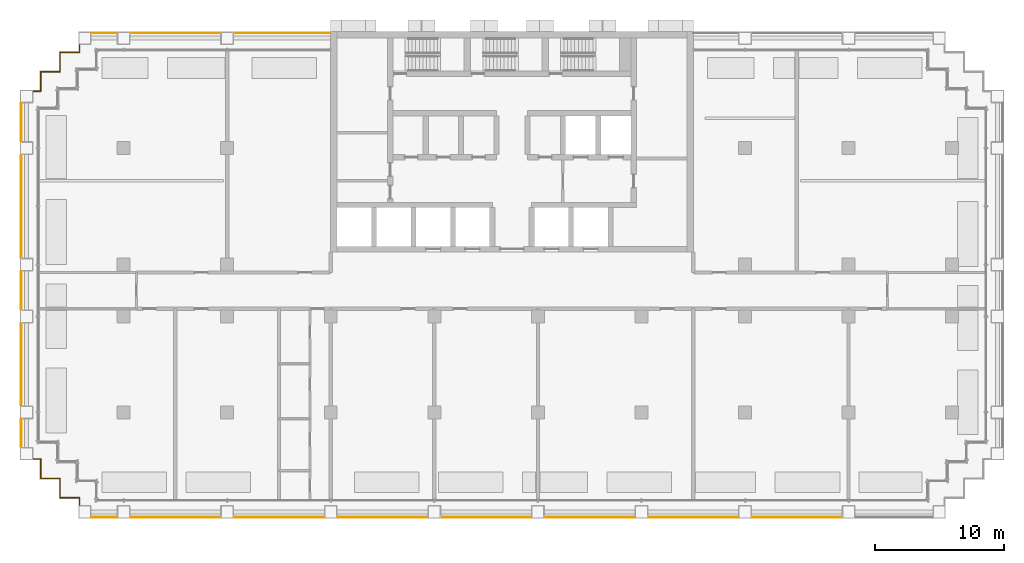
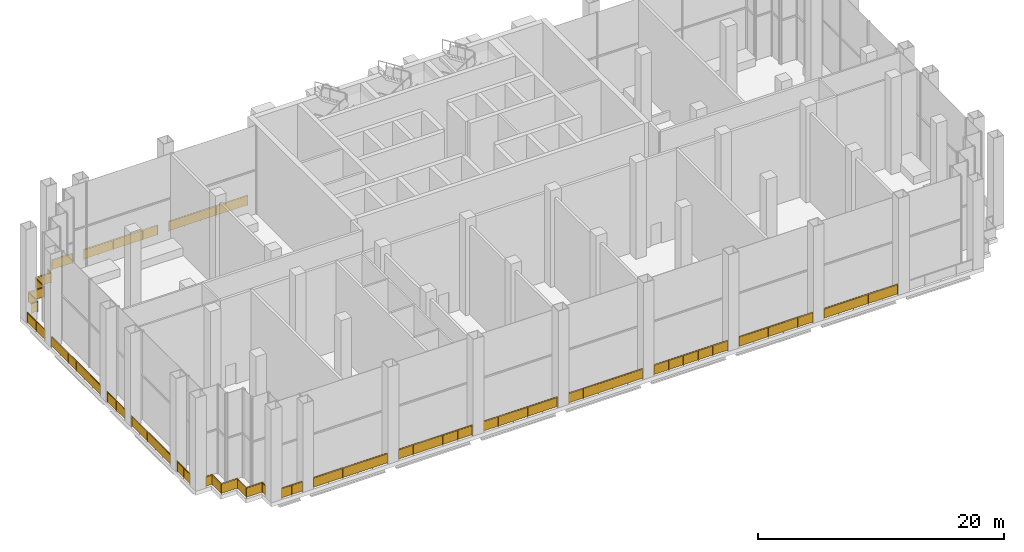
# One storey, part 13 of 16: 18 railings.
"""IFC4 building model written with IfcOpenShell, lengths in metres."""

from ifc_helpers import new_model, si_unit, direction, frame, origin, origin_2d, place, context, subcontext, project, spatial, rectangle, circle, extrude, material, type_object, element, save


model = new_model("IFC4")

# Units and contexts
model_context = context("Model", 3, precision=1e-05, world=origin(), true_north=direction((0.0, 1.0)))
body_context = subcontext(model_context, "Body", "Model", "MODEL_VIEW")
ifc_project = project(units=[si_unit("LENGTHUNIT", "METRE"), si_unit("AREAUNIT", "SQUARE_METRE"), si_unit("VOLUMEUNIT", "CUBIC_METRE"), si_unit("PLANEANGLEUNIT", "RADIAN"), si_unit("MASSUNIT", "GRAM", prefix="KILO")], contexts=[model_context])

# Site, building, storey
site_placement = place(None, origin())
site = spatial("IfcSite", under=ifc_project, at=site_placement, CompositionType="ELEMENT")
building_placement = place(site_placement, origin())
building = spatial("IfcBuilding", under=site, at=building_placement, Name="Vidyagriha Tower", CompositionType="ELEMENT")
storey_placement = place(building_placement, frame((0.0, 0.0, 64.0)))
storey = spatial("IfcBuildingStorey", under=building, at=storey_placement, Name="L17", CompositionType="ELEMENT", Elevation=64.0)

# Railings
ifc_material = material(Name="Steel ASTM A500 Grade C black painted", Category="steel")
railing_type = type_object("IfcRailingType", Name="Gallery guard 1100", PredefinedType="GUARDRAIL", material=ifc_material)
railing_1_placement = place(storey_placement, frame((-37.89990234375, -12.070068359375, 0.0)))
element("IfcRailing", 1, at=railing_1_placement, inside=storey, type_object=railing_type, Name="Gallery guard L17 1", PredefinedType="GUARDRAIL", context=body_context, shape_type="SweptSolid", body=[
    extrude(circle(Radius=0.02490234375, at=origin_2d()), frame((0.0, 0.0, 1.0751953125), z_axis=(0.0, 1.0, 0.0), x_axis=(-1.0, 0.0, 0.0)), (0.0, 0.0, 1.0), 2.14013671875),
    extrude(circle(Radius=0.02001953125, at=origin_2d()), origin(), (0.0, 0.0, 1.0), 1.050048828125),
    extrude(circle(Radius=0.02001953125, at=origin_2d()), frame((0.0, 1.070068359375, 0.0)), (0.0, 0.0, 1.0), 1.050048828125),
    extrude(circle(Radius=0.02001953125, at=origin_2d()), frame((0.0, 2.14013671875, 0.0)), (0.0, 0.0, 1.0), 1.050048828125),
    extrude(rectangle(XDim=0.010009765625, YDim=0.900146484375, at=origin_2d()), frame((0.0, 0.0, 0.550048828125), z_axis=(0.0, 1.0, 0.0), x_axis=(-1.0, 0.0, 0.0)), (0.0, 0.0, 1.0), 2.14013671875),
])
railing_2_placement = place(storey_placement, frame((-37.89990234375, -8.8701171875, 0.0)))
element("IfcRailing", 2, at=railing_2_placement, inside=storey, type_object=railing_type, Name="Gallery guard L17 2", PredefinedType="GUARDRAIL", context=body_context, shape_type="SweptSolid", body=[
    extrude(circle(Radius=0.02490234375, at=origin_2d()), frame((0.0, 0.0, 1.0751953125), z_axis=(0.0, 1.0, 0.0), x_axis=(-1.0, 0.0, 0.0)), (0.0, 0.0, 1.0), 6.340087890625),
    extrude(circle(Radius=0.02001953125, at=origin_2d()), origin(), (0.0, 0.0, 1.0), 1.050048828125),
    extrude(circle(Radius=0.02001953125, at=origin_2d()), frame((0.0, 1.26806640625, 0.0)), (0.0, 0.0, 1.0), 1.050048828125),
    extrude(circle(Radius=0.02001953125, at=origin_2d()), frame((0.0, 2.5361328125, 0.0)), (0.0, 0.0, 1.0), 1.050048828125),
    extrude(circle(Radius=0.02001953125, at=origin_2d()), frame((0.0, 3.803955078125, 0.0)), (0.0, 0.0, 1.0), 1.050048828125),
    extrude(circle(Radius=0.02001953125, at=origin_2d()), frame((0.0, 5.072021484375, 0.0)), (0.0, 0.0, 1.0), 1.050048828125),
    extrude(circle(Radius=0.02001953125, at=origin_2d()), frame((0.0, 6.340087890625, 0.0)), (0.0, 0.0, 1.0), 1.050048828125),
    extrude(rectangle(XDim=0.010009765625, YDim=0.900146484375, at=origin_2d()), frame((0.0, 0.0, 0.550048828125), z_axis=(0.0, 1.0, 0.0), x_axis=(-1.0, 0.0, 0.0)), (0.0, 0.0, 1.0), 6.340087890625),
])
railing_3_placement = place(storey_placement, frame((-37.89990234375, -1.469970703125, 0.0)))
element("IfcRailing", 3, at=railing_3_placement, inside=storey, type_object=railing_type, Name="Gallery guard L17 3", PredefinedType="GUARDRAIL", context=body_context, shape_type="SweptSolid", body=[
    extrude(circle(Radius=0.02490234375, at=origin_2d()), frame((0.0, 0.0, 1.0751953125), z_axis=(0.0, 1.0, 0.0), x_axis=(-1.0, 0.0, 0.0)), (0.0, 0.0, 1.0), 2.93994140625),
    extrude(circle(Radius=0.02001953125, at=origin_2d()), origin(), (0.0, 0.0, 1.0), 1.050048828125),
    extrude(circle(Radius=0.02001953125, at=origin_2d()), frame((0.0, 1.469970703125, 0.0)), (0.0, 0.0, 1.0), 1.050048828125),
    extrude(circle(Radius=0.02001953125, at=origin_2d()), frame((0.0, 2.93994140625, 0.0)), (0.0, 0.0, 1.0), 1.050048828125),
    extrude(rectangle(XDim=0.010009765625, YDim=0.900146484375, at=origin_2d()), frame((0.0, 0.0, 0.550048828125), z_axis=(0.0, 1.0, 0.0), x_axis=(-1.0, 0.0, 0.0)), (0.0, 0.0, 1.0), 2.93994140625),
])
railing_4_placement = place(storey_placement, frame((-37.89990234375, 2.530029296875, 0.0)))
element("IfcRailing", 4, at=railing_4_placement, inside=storey, type_object=railing_type, Name="Gallery guard L17 4", PredefinedType="GUARDRAIL", context=body_context, shape_type="SweptSolid", body=[
    extrude(circle(Radius=0.02490234375, at=origin_2d()), frame((0.0, 0.0, 1.0751953125), z_axis=(0.0, 1.0, 0.0), x_axis=(-1.0, 0.0, 0.0)), (0.0, 0.0, 1.0), 7.93994140625),
    extrude(circle(Radius=0.02001953125, at=origin_2d()), origin(), (0.0, 0.0, 1.0), 1.050048828125),
    extrude(circle(Radius=0.02001953125, at=origin_2d()), frame((0.0, 1.3232421875, 0.0)), (0.0, 0.0, 1.0), 1.050048828125),
    extrude(circle(Radius=0.02001953125, at=origin_2d()), frame((0.0, 2.646728515625, 0.0)), (0.0, 0.0, 1.0), 1.050048828125),
    extrude(circle(Radius=0.02001953125, at=origin_2d()), frame((0.0, 3.969970703125, 0.0)), (0.0, 0.0, 1.0), 1.050048828125),
    extrude(circle(Radius=0.02001953125, at=origin_2d()), frame((0.0, 5.293212890625, 0.0)), (0.0, 0.0, 1.0), 1.050048828125),
    extrude(circle(Radius=0.02001953125, at=origin_2d()), frame((0.0, 6.61669921875, 0.0)), (0.0, 0.0, 1.0), 1.050048828125),
    extrude(circle(Radius=0.02001953125, at=origin_2d()), frame((0.0, 7.93994140625, 0.0)), (0.0, 0.0, 1.0), 1.050048828125),
    extrude(rectangle(XDim=0.010009765625, YDim=0.900146484375, at=origin_2d()), frame((0.0, 0.0, 0.550048828125), z_axis=(0.0, 1.0, 0.0), x_axis=(-1.0, 0.0, 0.0)), (0.0, 0.0, 1.0), 7.93994140625),
])
railing_5_placement = place(storey_placement, frame((-37.89990234375, 11.530029296875, 0.0)))
element("IfcRailing", 5, at=railing_5_placement, inside=storey, type_object=railing_type, Name="Gallery guard L17 5", PredefinedType="GUARDRAIL", context=body_context, shape_type="SweptSolid", body=[
    extrude(circle(Radius=0.02490234375, at=origin_2d()), frame((0.0, 0.0, 1.0751953125), z_axis=(0.0, 1.0, 0.0), x_axis=(-1.0, 0.0, 0.0)), (0.0, 0.0, 1.0), 2.93994140625),
    extrude(circle(Radius=0.02001953125, at=origin_2d()), origin(), (0.0, 0.0, 1.0), 1.050048828125),
    extrude(circle(Radius=0.02001953125, at=origin_2d()), frame((0.0, 1.469970703125, 0.0)), (0.0, 0.0, 1.0), 1.050048828125),
    extrude(circle(Radius=0.02001953125, at=origin_2d()), frame((0.0, 2.93994140625, 0.0)), (0.0, 0.0, 1.0), 1.050048828125),
    extrude(rectangle(XDim=0.010009765625, YDim=0.900146484375, at=origin_2d()), frame((0.0, 0.0, 0.550048828125), z_axis=(0.0, 1.0, 0.0), x_axis=(-1.0, 0.0, 0.0)), (0.0, 0.0, 1.0), 2.93994140625),
])
railing_6_placement = place(storey_placement, frame((-33.39990234375, -16.570068359375, 0.0)))
element("IfcRailing", 6, at=railing_6_placement, inside=storey, type_object=railing_type, Name="Gallery guard L17 6", PredefinedType="GUARDRAIL", context=body_context, shape_type="SweptSolid", body=[
    extrude(circle(Radius=0.02490234375, at=origin_2d()), frame((0.0, 0.0, 1.0751953125), z_axis=(0.0, 1.0, 0.0), x_axis=(-1.0, 0.0, 0.0)), (0.0, 0.0, 1.0), 0.570068359375),
    extrude(circle(Radius=0.02490234375, at=origin_2d()), frame((0.0, 0.570068359375, 1.0751953125), z_axis=(-1.0, 0.0, 0.0), x_axis=(0.0, -1.0, 0.0)), (0.0, 0.0, 1.0), 1.5),
    extrude(circle(Radius=0.02490234375, at=origin_2d()), frame((-1.5, 0.570068359375, 1.0751953125), z_axis=(0.0, 1.0, 0.0), x_axis=(-1.0, 0.0, 0.0)), (0.0, 0.0, 1.0), 1.5),
    extrude(circle(Radius=0.02490234375, at=origin_2d()), frame((-1.5, 2.070068359375, 1.0751953125), z_axis=(-1.0, 0.0, 0.0), x_axis=(0.0, -1.0, 0.0)), (0.0, 0.0, 1.0), 1.5),
    extrude(circle(Radius=0.02490234375, at=origin_2d()), frame((-3.0, 2.070068359375, 1.0751953125), z_axis=(0.0, 1.0, 0.0), x_axis=(-1.0, 0.0, 0.0)), (0.0, 0.0, 1.0), 1.5),
    extrude(circle(Radius=0.02490234375, at=origin_2d()), frame((-3.0, 3.570068359375, 1.0751953125), z_axis=(-1.0, 0.0, 0.0), x_axis=(0.0, -1.0, 0.0)), (0.0, 0.0, 1.0), 0.570068359375),
    extrude(circle(Radius=0.02001953125, at=origin_2d()), origin(), (0.0, 0.0, 1.0), 1.050048828125),
    extrude(circle(Radius=0.02001953125, at=origin_2d()), frame((0.0, 0.570068359375, 0.0)), (0.0, 0.0, 1.0), 1.050048828125),
    extrude(circle(Radius=0.02001953125, at=origin_2d()), frame((-1.5, 0.570068359375, 0.0)), (0.0, 0.0, 1.0), 1.050048828125),
    extrude(circle(Radius=0.02001953125, at=origin_2d()), frame((-1.5, 2.070068359375, 0.0)), (0.0, 0.0, 1.0), 1.050048828125),
    extrude(circle(Radius=0.02001953125, at=origin_2d()), frame((-3.0, 2.070068359375, 0.0)), (0.0, 0.0, 1.0), 1.050048828125),
    extrude(circle(Radius=0.02001953125, at=origin_2d()), frame((-3.0, 3.570068359375, 0.0)), (0.0, 0.0, 1.0), 1.050048828125),
    extrude(circle(Radius=0.02001953125, at=origin_2d()), frame((-3.570068359375, 3.570068359375, 0.0)), (0.0, 0.0, 1.0), 1.050048828125),
    extrude(rectangle(XDim=0.010009765625, YDim=0.900146484375, at=origin_2d()), frame((0.0, 0.0, 0.550048828125), z_axis=(0.0, 1.0, 0.0), x_axis=(-1.0, 0.0, 0.0)), (0.0, 0.0, 1.0), 0.570068359375),
    extrude(rectangle(XDim=0.010009765625, YDim=0.900146484375, at=origin_2d()), frame((0.0, 0.570068359375, 0.550048828125), z_axis=(-1.0, 0.0, 0.0), x_axis=(0.0, -1.0, 0.0)), (0.0, 0.0, 1.0), 1.5),
    extrude(rectangle(XDim=0.010009765625, YDim=0.900146484375, at=origin_2d()), frame((-1.5, 0.570068359375, 0.550048828125), z_axis=(0.0, 1.0, 0.0), x_axis=(-1.0, 0.0, 0.0)), (0.0, 0.0, 1.0), 1.5),
    extrude(rectangle(XDim=0.010009765625, YDim=0.900146484375, at=origin_2d()), frame((-1.5, 2.070068359375, 0.550048828125), z_axis=(-1.0, 0.0, 0.0), x_axis=(0.0, -1.0, 0.0)), (0.0, 0.0, 1.0), 1.5),
    extrude(rectangle(XDim=0.010009765625, YDim=0.900146484375, at=origin_2d()), frame((-3.0, 2.070068359375, 0.550048828125), z_axis=(0.0, 1.0, 0.0), x_axis=(-1.0, 0.0, 0.0)), (0.0, 0.0, 1.0), 1.5),
    extrude(rectangle(XDim=0.010009765625, YDim=0.900146484375, at=origin_2d()), frame((-3.0, 3.570068359375, 0.550048828125), z_axis=(-1.0, 0.0, 0.0), x_axis=(0.0, -1.0, 0.0)), (0.0, 0.0, 1.0), 0.570068359375),
])
railing_7_placement = place(storey_placement, frame((-36.969970703125, 15.39990234375, 0.0)))
element("IfcRailing", 7, at=railing_7_placement, inside=storey, type_object=railing_type, Name="Gallery guard L17 7", PredefinedType="GUARDRAIL", context=body_context, shape_type="SweptSolid", body=[
    extrude(circle(Radius=0.02490234375, at=origin_2d()), frame((0.0, 0.0, 1.0751953125), z_axis=(1.0, 0.0, 0.0), x_axis=(0.0, 1.0, 0.0)), (0.0, 0.0, 1.0), 0.570068359375),
    extrude(circle(Radius=0.02490234375, at=origin_2d()), frame((0.570068359375, 0.0, 1.0751953125), z_axis=(0.0, 1.0, 0.0), x_axis=(-1.0, 0.0, 0.0)), (0.0, 0.0, 1.0), 1.5),
    extrude(circle(Radius=0.02490234375, at=origin_2d()), frame((0.570068359375, 1.5, 1.0751953125), z_axis=(1.0, 0.0, 0.0), x_axis=(0.0, 1.0, 0.0)), (0.0, 0.0, 1.0), 1.5),
    extrude(circle(Radius=0.02490234375, at=origin_2d()), frame((2.070068359375, 1.5, 1.0751953125), z_axis=(0.0, 1.0, 0.0), x_axis=(-1.0, 0.0, 0.0)), (0.0, 0.0, 1.0), 1.5),
    extrude(circle(Radius=0.02490234375, at=origin_2d()), frame((2.070068359375, 3.0, 1.0751953125), z_axis=(1.0, 0.0, 0.0), x_axis=(0.0, 1.0, 0.0)), (0.0, 0.0, 1.0), 1.5),
    extrude(circle(Radius=0.02490234375, at=origin_2d()), frame((3.570068359375, 3.0, 1.0751953125), z_axis=(0.0, 1.0, 0.0), x_axis=(-1.0, 0.0, 0.0)), (0.0, 0.0, 1.0), 0.570068359375),
    extrude(circle(Radius=0.02001953125, at=origin_2d()), origin(), (0.0, 0.0, 1.0), 1.050048828125),
    extrude(circle(Radius=0.02001953125, at=origin_2d()), frame((0.570068359375, 0.0, 0.0)), (0.0, 0.0, 1.0), 1.050048828125),
    extrude(circle(Radius=0.02001953125, at=origin_2d()), frame((0.570068359375, 1.5, 0.0)), (0.0, 0.0, 1.0), 1.050048828125),
    extrude(circle(Radius=0.02001953125, at=origin_2d()), frame((2.070068359375, 1.5, 0.0)), (0.0, 0.0, 1.0), 1.050048828125),
    extrude(circle(Radius=0.02001953125, at=origin_2d()), frame((2.070068359375, 3.0, 0.0)), (0.0, 0.0, 1.0), 1.050048828125),
    extrude(circle(Radius=0.02001953125, at=origin_2d()), frame((3.570068359375, 3.0, 0.0)), (0.0, 0.0, 1.0), 1.050048828125),
    extrude(circle(Radius=0.02001953125, at=origin_2d()), frame((3.570068359375, 3.570068359375, 0.0)), (0.0, 0.0, 1.0), 1.050048828125),
    extrude(rectangle(XDim=0.010009765625, YDim=0.900146484375, at=origin_2d()), frame((0.0, 0.0, 0.550048828125), z_axis=(1.0, 0.0, 0.0), x_axis=(0.0, 1.0, 0.0)), (0.0, 0.0, 1.0), 0.570068359375),
    extrude(rectangle(XDim=0.010009765625, YDim=0.900146484375, at=origin_2d()), frame((0.570068359375, 0.0, 0.550048828125), z_axis=(0.0, 1.0, 0.0), x_axis=(-1.0, 0.0, 0.0)), (0.0, 0.0, 1.0), 1.5),
    extrude(rectangle(XDim=0.010009765625, YDim=0.900146484375, at=origin_2d()), frame((0.570068359375, 1.5, 0.550048828125), z_axis=(1.0, 0.0, 0.0), x_axis=(0.0, 1.0, 0.0)), (0.0, 0.0, 1.0), 1.5),
    extrude(rectangle(XDim=0.010009765625, YDim=0.900146484375, at=origin_2d()), frame((2.070068359375, 1.5, 0.550048828125), z_axis=(0.0, 1.0, 0.0), x_axis=(-1.0, 0.0, 0.0)), (0.0, 0.0, 1.0), 1.5),
    extrude(rectangle(XDim=0.010009765625, YDim=0.900146484375, at=origin_2d()), frame((2.070068359375, 3.0, 0.550048828125), z_axis=(1.0, 0.0, 0.0), x_axis=(0.0, 1.0, 0.0)), (0.0, 0.0, 1.0), 1.5),
    extrude(rectangle(XDim=0.010009765625, YDim=0.900146484375, at=origin_2d()), frame((3.570068359375, 3.0, 0.550048828125), z_axis=(0.0, 1.0, 0.0), x_axis=(-1.0, 0.0, 0.0)), (0.0, 0.0, 1.0), 0.570068359375),
])
railing_8_placement = place(storey_placement, frame((-30.530029296875, -17.5, 0.0)))
element("IfcRailing", 8, at=railing_8_placement, inside=storey, type_object=railing_type, Name="Gallery guard L17 8", PredefinedType="GUARDRAIL", context=body_context, shape_type="SweptSolid", body=[
    extrude(circle(Radius=0.02490234375, at=origin_2d()), frame((0.0, 0.0, 1.0751953125), z_axis=(-1.0, 0.0, 0.0), x_axis=(0.0, -1.0, 0.0)), (0.0, 0.0, 1.0), 1.93994140625),
    extrude(circle(Radius=0.02001953125, at=origin_2d()), origin(), (0.0, 0.0, 1.0), 1.050048828125),
    extrude(circle(Radius=0.02001953125, at=origin_2d()), frame((-0.969970703125, 0.0, 0.0)), (0.0, 0.0, 1.0), 1.050048828125),
    extrude(circle(Radius=0.02001953125, at=origin_2d()), frame((-1.93994140625, 0.0, 0.0)), (0.0, 0.0, 1.0), 1.050048828125),
    extrude(rectangle(XDim=0.010009765625, YDim=0.900146484375, at=origin_2d()), frame((0.0, 0.0, 0.550048828125), z_axis=(-1.0, 0.0, 0.0), x_axis=(0.0, -1.0, 0.0)), (0.0, 0.0, 1.0), 1.93994140625),
])
railing_9_placement = place(storey_placement, frame((-32.469970703125, 19.89990234375, 0.0)))
element("IfcRailing", 9, at=railing_9_placement, inside=storey, type_object=railing_type, Name="Gallery guard L17 9", PredefinedType="GUARDRAIL", context=body_context, shape_type="SweptSolid", body=[
    extrude(circle(Radius=0.02490234375, at=origin_2d()), frame((0.0, 0.0, 1.0751953125), z_axis=(1.0, 0.0, 0.0), x_axis=(0.0, 1.0, 0.0)), (0.0, 0.0, 1.0), 1.93994140625),
    extrude(circle(Radius=0.02001953125, at=origin_2d()), origin(), (0.0, 0.0, 1.0), 1.050048828125),
    extrude(circle(Radius=0.02001953125, at=origin_2d()), frame((0.969970703125, 0.0, 0.0)), (0.0, 0.0, 1.0), 1.050048828125),
    extrude(circle(Radius=0.02001953125, at=origin_2d()), frame((1.93994140625, 0.0, 0.0)), (0.0, 0.0, 1.0), 1.050048828125),
    extrude(rectangle(XDim=0.010009765625, YDim=0.900146484375, at=origin_2d()), frame((0.0, 0.0, 0.550048828125), z_axis=(1.0, 0.0, 0.0), x_axis=(0.0, 1.0, 0.0)), (0.0, 0.0, 1.0), 1.93994140625),
])
railing_10_placement = place(storey_placement, frame((-22.530029296875, -17.5, 0.0)))
element("IfcRailing", 10, at=railing_10_placement, inside=storey, type_object=railing_type, Name="Gallery guard L17 10", PredefinedType="GUARDRAIL", context=body_context, shape_type="SweptSolid", body=[
    extrude(circle(Radius=0.02490234375, at=origin_2d()), frame((0.0, 0.0, 1.0751953125), z_axis=(-1.0, 0.0, 0.0), x_axis=(0.0, -1.0, 0.0)), (0.0, 0.0, 1.0), 6.93994140625),
    extrude(circle(Radius=0.02001953125, at=origin_2d()), origin(), (0.0, 0.0, 1.0), 1.050048828125),
    extrude(circle(Radius=0.02001953125, at=origin_2d()), frame((-1.387939453125, 0.0, 0.0)), (0.0, 0.0, 1.0), 1.050048828125),
    extrude(circle(Radius=0.02001953125, at=origin_2d()), frame((-2.77587890625, 0.0, 0.0)), (0.0, 0.0, 1.0), 1.050048828125),
    extrude(circle(Radius=0.02001953125, at=origin_2d()), frame((-4.1640625, 0.0, 0.0)), (0.0, 0.0, 1.0), 1.050048828125),
    extrude(circle(Radius=0.02001953125, at=origin_2d()), frame((-5.552001953125, 0.0, 0.0)), (0.0, 0.0, 1.0), 1.050048828125),
    extrude(circle(Radius=0.02001953125, at=origin_2d()), frame((-6.93994140625, 0.0, 0.0)), (0.0, 0.0, 1.0), 1.050048828125),
    extrude(rectangle(XDim=0.010009765625, YDim=0.900146484375, at=origin_2d()), frame((0.0, 0.0, 0.550048828125), z_axis=(-1.0, 0.0, 0.0), x_axis=(0.0, -1.0, 0.0)), (0.0, 0.0, 1.0), 6.93994140625),
])
railing_11_placement = place(storey_placement, frame((-29.469970703125, 19.89990234375, 0.0)))
element("IfcRailing", 11, at=railing_11_placement, inside=storey, type_object=railing_type, Name="Gallery guard L17 11", PredefinedType="GUARDRAIL", context=body_context, shape_type="SweptSolid", body=[
    extrude(circle(Radius=0.02490234375, at=origin_2d()), frame((0.0, 0.0, 1.0751953125), z_axis=(1.0, 0.0, 0.0), x_axis=(0.0, 1.0, 0.0)), (0.0, 0.0, 1.0), 6.93994140625),
    extrude(circle(Radius=0.02001953125, at=origin_2d()), origin(), (0.0, 0.0, 1.0), 1.050048828125),
    extrude(circle(Radius=0.02001953125, at=origin_2d()), frame((1.387939453125, 0.0, 0.0)), (0.0, 0.0, 1.0), 1.050048828125),
    extrude(circle(Radius=0.02001953125, at=origin_2d()), frame((2.77587890625, 0.0, 0.0)), (0.0, 0.0, 1.0), 1.050048828125),
    extrude(circle(Radius=0.02001953125, at=origin_2d()), frame((4.1640625, 0.0, 0.0)), (0.0, 0.0, 1.0), 1.050048828125),
    extrude(circle(Radius=0.02001953125, at=origin_2d()), frame((5.552001953125, 0.0, 0.0)), (0.0, 0.0, 1.0), 1.050048828125),
    extrude(circle(Radius=0.02001953125, at=origin_2d()), frame((6.93994140625, 0.0, 0.0)), (0.0, 0.0, 1.0), 1.050048828125),
    extrude(rectangle(XDim=0.010009765625, YDim=0.900146484375, at=origin_2d()), frame((0.0, 0.0, 0.550048828125), z_axis=(1.0, 0.0, 0.0), x_axis=(0.0, 1.0, 0.0)), (0.0, 0.0, 1.0), 6.93994140625),
])
railing_12_placement = place(storey_placement, frame((-14.530029296875, -17.5, 0.0)))
element("IfcRailing", 12, at=railing_12_placement, inside=storey, type_object=railing_type, Name="Gallery guard L17 12", PredefinedType="GUARDRAIL", context=body_context, shape_type="SweptSolid", body=[
    extrude(circle(Radius=0.02490234375, at=origin_2d()), frame((0.0, 0.0, 1.0751953125), z_axis=(-1.0, 0.0, 0.0), x_axis=(0.0, -1.0, 0.0)), (0.0, 0.0, 1.0), 6.93994140625),
    extrude(circle(Radius=0.02001953125, at=origin_2d()), origin(), (0.0, 0.0, 1.0), 1.050048828125),
    extrude(circle(Radius=0.02001953125, at=origin_2d()), frame((-1.387939453125, 0.0, 0.0)), (0.0, 0.0, 1.0), 1.050048828125),
    extrude(circle(Radius=0.02001953125, at=origin_2d()), frame((-2.77587890625, 0.0, 0.0)), (0.0, 0.0, 1.0), 1.050048828125),
    extrude(circle(Radius=0.02001953125, at=origin_2d()), frame((-4.1640625, 0.0, 0.0)), (0.0, 0.0, 1.0), 1.050048828125),
    extrude(circle(Radius=0.02001953125, at=origin_2d()), frame((-5.552001953125, 0.0, 0.0)), (0.0, 0.0, 1.0), 1.050048828125),
    extrude(circle(Radius=0.02001953125, at=origin_2d()), frame((-6.93994140625, 0.0, 0.0)), (0.0, 0.0, 1.0), 1.050048828125),
    extrude(rectangle(XDim=0.010009765625, YDim=0.900146484375, at=origin_2d()), frame((0.0, 0.0, 0.550048828125), z_axis=(-1.0, 0.0, 0.0), x_axis=(0.0, -1.0, 0.0)), (0.0, 0.0, 1.0), 6.93994140625),
])
railing_13_placement = place(storey_placement, frame((-21.469970703125, 19.89990234375, 0.0)))
element("IfcRailing", 13, at=railing_13_placement, inside=storey, type_object=railing_type, Name="Gallery guard L17 13", PredefinedType="GUARDRAIL", context=body_context, shape_type="SweptSolid", body=[
    extrude(circle(Radius=0.02490234375, at=origin_2d()), frame((0.0, 0.0, 1.0751953125), z_axis=(1.0, 0.0, 0.0), x_axis=(0.0, 1.0, 0.0)), (0.0, 0.0, 1.0), 7.43994140625),
    extrude(circle(Radius=0.02001953125, at=origin_2d()), origin(), (0.0, 0.0, 1.0), 1.050048828125),
    extrude(circle(Radius=0.02001953125, at=origin_2d()), frame((1.488037109375, 0.0, 0.0)), (0.0, 0.0, 1.0), 1.050048828125),
    extrude(circle(Radius=0.02001953125, at=origin_2d()), frame((2.97607421875, 0.0, 0.0)), (0.0, 0.0, 1.0), 1.050048828125),
    extrude(circle(Radius=0.02001953125, at=origin_2d()), frame((4.4638671875, 0.0, 0.0)), (0.0, 0.0, 1.0), 1.050048828125),
    extrude(circle(Radius=0.02001953125, at=origin_2d()), frame((5.951904296875, 0.0, 0.0)), (0.0, 0.0, 1.0), 1.050048828125),
    extrude(circle(Radius=0.02001953125, at=origin_2d()), frame((7.43994140625, 0.0, 0.0)), (0.0, 0.0, 1.0), 1.050048828125),
    extrude(rectangle(XDim=0.010009765625, YDim=0.900146484375, at=origin_2d()), frame((0.0, 0.0, 0.550048828125), z_axis=(1.0, 0.0, 0.0), x_axis=(0.0, 1.0, 0.0)), (0.0, 0.0, 1.0), 7.43994140625),
])
for number, where, name in (
    (14, (-6.530029296875, -17.5, 0.0), "Gallery guard L17 14"),
    (15, (1.469970703125, -17.5, 0.0), "Gallery guard L17 15"),
    (16, (9.469970703125, -17.5, 0.0), "Gallery guard L17 16"),
    (17, (17.469970703125, -17.5, 0.0), "Gallery guard L17 17"),
    (18, (25.469970703125, -17.5, 0.0), "Gallery guard L17 19"),
):
    element("IfcRailing", number, at=place(storey_placement, frame(where)), inside=storey, type_object=railing_type, Name=name, PredefinedType="GUARDRAIL", context=body_context, shape_type="SweptSolid", body=[
        extrude(circle(Radius=0.02490234375, at=origin_2d()), frame((0.0, 0.0, 1.0751953125), z_axis=(-1.0, 0.0, 0.0), x_axis=(0.0, -1.0, 0.0)), (0.0, 0.0, 1.0), 6.93994140625),
        extrude(circle(Radius=0.02001953125, at=origin_2d()), origin(), (0.0, 0.0, 1.0), 1.050048828125),
        extrude(circle(Radius=0.02001953125, at=origin_2d()), frame((-1.387939453125, 0.0, 0.0)), (0.0, 0.0, 1.0), 1.050048828125),
        extrude(circle(Radius=0.02001953125, at=origin_2d()), frame((-2.77587890625, 0.0, 0.0)), (0.0, 0.0, 1.0), 1.050048828125),
        extrude(circle(Radius=0.02001953125, at=origin_2d()), frame((-4.1640625, 0.0, 0.0)), (0.0, 0.0, 1.0), 1.050048828125),
        extrude(circle(Radius=0.02001953125, at=origin_2d()), frame((-5.552001953125, 0.0, 0.0)), (0.0, 0.0, 1.0), 1.050048828125),
        extrude(circle(Radius=0.02001953125, at=origin_2d()), frame((-6.93994140625, 0.0, 0.0)), (0.0, 0.0, 1.0), 1.050048828125),
        extrude(rectangle(XDim=0.010009765625, YDim=0.900146484375, at=origin_2d()), frame((0.0, 0.0, 0.550048828125), z_axis=(-1.0, 0.0, 0.0), x_axis=(0.0, -1.0, 0.0)), (0.0, 0.0, 1.0), 6.93994140625),
    ])

save(model, "model.ifc")
